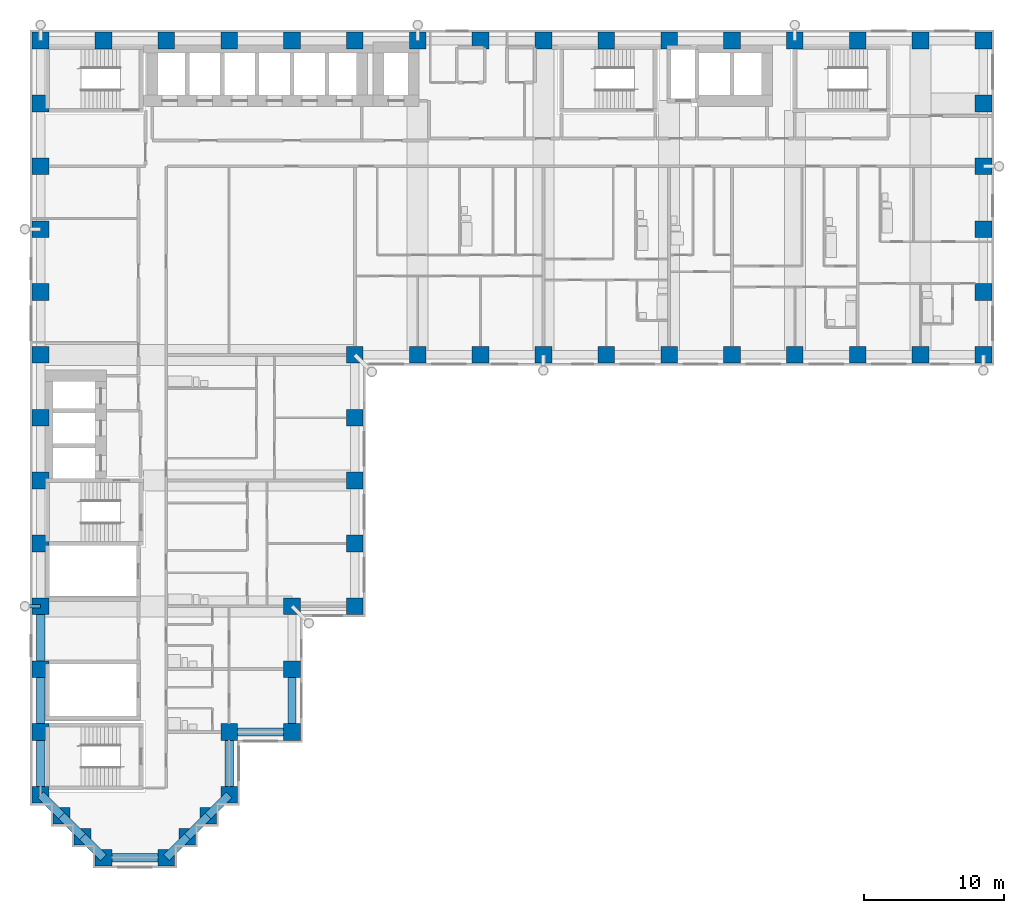
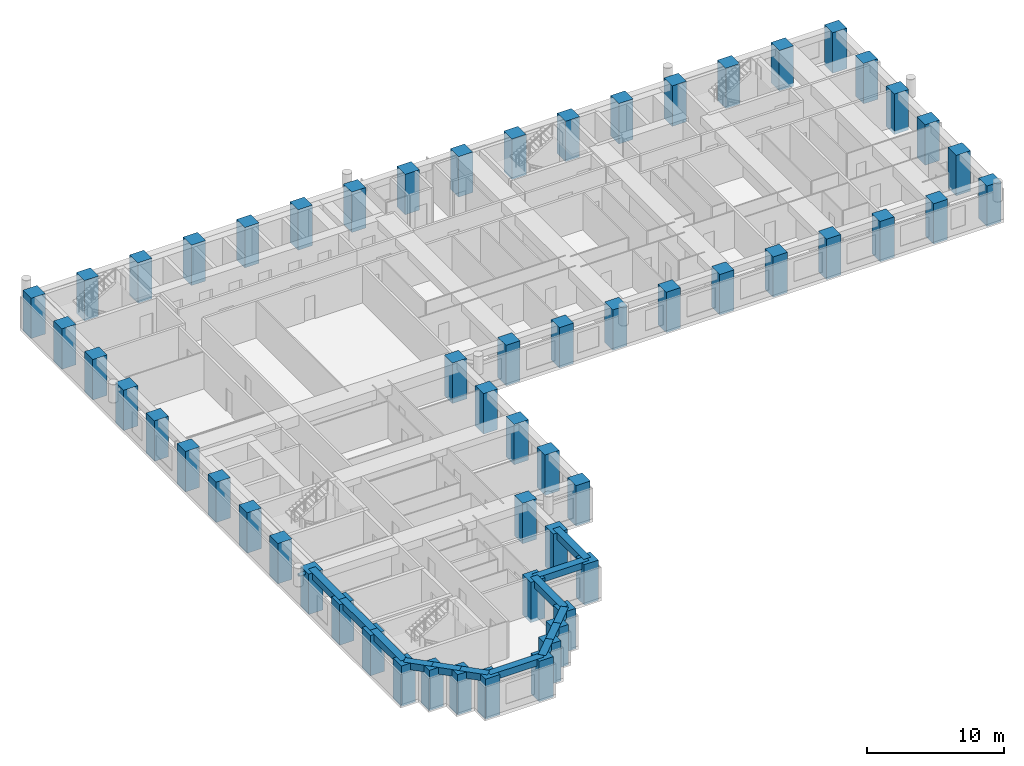
# One storey, part 1 of 14: 58 columns, 13 beams, 1 member.
"""IFC4 building model written with IfcOpenShell, lengths in metres."""

from ifc_helpers import new_model, si_unit, direction, frame, origin, origin_2d, place, context, subcontext, project, spatial, rectangle, hollow_circle, extrude, material, material_profile, profile_set, type_object, element, save


model = new_model("IFC4")

# Units and contexts
model_context = context("Model", 3, precision=1e-05, world=origin(), true_north=direction((0.0, 1.0)))
body_context = subcontext(model_context, "Body", "Model", "MODEL_VIEW")
ifc_project = project(units=[si_unit("LENGTHUNIT", "METRE"), si_unit("AREAUNIT", "SQUARE_METRE"), si_unit("VOLUMEUNIT", "CUBIC_METRE"), si_unit("PLANEANGLEUNIT", "RADIAN"), si_unit("MASSUNIT", "GRAM", prefix="KILO")], contexts=[model_context])

# Site, building, storey
site_placement = place(None, origin())
site = spatial("IfcSite", under=ifc_project, at=site_placement, CompositionType="ELEMENT")
building_placement = place(site_placement, origin())
building = spatial("IfcBuilding", under=site, at=building_placement, Name="Firuza Court", CompositionType="ELEMENT")
storey_placement = place(building_placement, frame((0.0, 0.0, 68.60009765625)))
storey = spatial("IfcBuildingStorey", under=building, at=storey_placement, Name="L16", CompositionType="ELEMENT", Elevation=68.60009765625)

# Columns
ifc_material_1 = material(Name="Concrete C70/85", Category="concrete")
ifc_material_profile_1 = material_profile(ifc_material_1, rectangle(XDim=1.199951171875, YDim=1.199951171875, at=origin_2d()), Name="RC 1200x1200")
ifc_profile_set_1 = profile_set([ifc_material_profile_1], Name="Concrete C70/85")
column_type = type_object("IfcColumnType", Name="Tube column RC 1200x1200 C70/85", PredefinedType="COLUMN", material=ifc_profile_set_1)
for number, where, z_axis, x_axis, name in (
    (1, (4.5, 0.0, -0.300048828125), (0.0, 0.0, 1.0), (1.0, 0.0, 0.0), "Column C-2D L16"),
    (2, (9.0, 0.0, -0.300048828125), (0.0, 0.0, 1.0), (1.0, 0.0, 0.0), "Column C-3D L16"),
    (3, (3.0, 1.5, -0.300048828125), (0.0, 0.0, 1.0), (1.0, 0.0, 0.0), "Column C-SA1 L16"),
    (4, (10.5, 1.5, -0.300048828125), (0.0, 0.0, 1.0), (1.0, 0.0, 0.0), "Column C-SA2 L16"),
    (5, (1.5, 3.0, -0.300048828125), (0.0, 0.0, 1.0), (1.0, 0.0, 0.0), "Column C-SA3 L16"),
    (6, (12.0, 3.0, -0.300048828125), (0.0, 0.0, 1.0), (1.0, 0.0, 0.0), "Column C-SA4 L16"),
    (7, (0.0, 4.5, -0.300048828125), (0.0, 0.0, 1.0), (1.0, 0.0, 0.0), "Column C-1E L16"),
    (8, (13.5, 4.5, -0.300048828125), (0.0, 0.0, 1.0), (1.0, 0.0, 0.0), "Column C-4E L16"),
    (9, (0.0, 9.0, -0.300048828125), (0.0, 0.0, 1.0), (1.0, 0.0, 0.0), "Column C-1F L16"),
    (10, (13.5, 9.0, -0.300048828125), (0.0, 0.0, 1.0), (1.0, 0.0, 0.0), "Column C-4F L16"),
    (11, (18.0, 9.0, -0.300048828125), (0.0, 0.0, 1.0), (1.0, 0.0, 0.0), "Column C-5F L16"),
    (12, (0.0, 13.5, -0.300048828125), (0.0, 0.0, 1.0), (1.0, 0.0, 0.0), "Column C-1G L16"),
    (13, (18.0, 13.5, -0.300048828125), (0.0, 0.0, 1.0), (1.0, 0.0, 0.0), "Column C-5G L16"),
    (14, (0.0, 18.0, -0.300048828125), (0.0, 0.0, 1.0), (1.0, 0.0, 0.0), "Column C-1H L16"),
    (15, (18.0, 18.0, -0.300048828125), (0.0, 0.0, 1.0), (1.0, 0.0, 0.0), "Column C-5H L16"),
    (16, (22.5, 18.0, -0.300048828125), (0.0, 0.0, 1.0), (1.0, 0.0, 0.0), "Column C-6H L16"),
    (17, (0.0, 22.5, -0.300048828125), (0.0, 0.0, 1.0), (1.0, 0.0, 0.0), "Column C-1J L16"),
    (18, (22.5, 22.5, -0.300048828125), (0.0, 0.0, 1.0), (1.0, 0.0, 0.0), "Column C-6J L16"),
    (19, (0.0, 27.0, -0.300048828125), (0.0, 0.0, 1.0), (1.0, 0.0, 0.0), "Column C-1K L16"),
    (20, (22.5, 27.0, -0.300048828125), (0.0, 0.0, 1.0), (1.0, 0.0, 0.0), "Column C-6K L16"),
    (21, (0.0, 31.5, -0.300048828125), (0.0, 0.0, 1.0), (1.0, 0.0, 0.0), "Column C-1L L16"),
    (22, (22.5, 31.5, -0.300048828125), (0.0, 0.0, 1.0), (1.0, 0.0, 0.0), "Column C-6L L16"),
    (23, (0.0, 36.0, -0.300048828125), (0.0, 0.0, 1.0), (1.0, 0.0, 0.0), "Column C-1M L16"),
    (24, (22.5, 36.0, -0.300048828125), (0.0, 0.0, 1.0), (1.0, 0.0, 0.0), "Column C-6M L16"),
    (25, (27.0, 36.0, -0.300048828125), (0.0, 0.0, 1.0), (1.0, 0.0, 0.0), "Column C-7M L16"),
    (26, (31.5, 36.0, -0.300048828125), (0.0, 0.0, 1.0), (1.0, 0.0, 0.0), "Column C-8M L16"),
    (27, (36.0, 36.0, -0.300048828125), (0.0, 0.0, 1.0), (1.0, 0.0, 0.0), "Column C-9M L16"),
    (28, (40.5, 36.0, -0.300048828125), (0.0, 0.0, 1.0), (1.0, 0.0, 0.0), "Column C-10M L16"),
    (29, (45.0, 36.0, -0.300048828125), (0.0, 0.0, 1.0), (1.0, 0.0, 0.0), "Column C-11M L16"),
    (30, (49.5, 36.0, -0.300048828125), (0.0, 0.0, 1.0), (1.0, 0.0, 0.0), "Column C-12M L16"),
    (31, (54.0, 36.0, -0.300048828125), (0.0, 0.0, 1.0), (1.0, 0.0, 0.0), "Column C-13M L16"),
    (32, (58.5, 36.0, -0.300048828125), (0.0, 0.0, 1.0), (1.0, 0.0, 0.0), "Column C-14M L16"),
    (33, (63.0, 36.0, -0.300048828125), (0.0, 0.0, 1.0), (1.0, 0.0, 0.0), "Column C-15M L16"),
    (34, (67.5, 36.0, -0.300048828125), (0.0, 0.0, 1.0), (1.0, 0.0, 0.0), "Column C-16M L16"),
    (35, (0.0, 40.5, -0.300048828125), (0.0, 0.0, 1.0), (1.0, 0.0, 0.0), "Column C-1N L16"),
    (36, (67.5, 40.5, -0.300048828125), (0.0, 0.0, 1.0), (1.0, 0.0, 0.0), "Column C-16N L16"),
    (37, (0.0, 45.0, -0.300048828125), (0.0, 0.0, 1.0), (1.0, 0.0, 0.0), "Column C-1P L16"),
    (38, (67.5, 45.0, -0.300048828125), (0.0, 0.0, 1.0), (1.0, 0.0, 0.0), "Column C-16P L16"),
    (39, (0.0, 49.5, -0.300048828125), (0.0, 0.0, 1.0), (1.0, 0.0, 0.0), "Column C-1Q L16"),
    (40, (67.5, 49.5, -0.300048828125), (0.0, 0.0, 1.0), (1.0, 0.0, 0.0), "Column C-16Q L16"),
    (41, (0.0, 54.0, -0.300048828125), (0.0, 0.0, 1.0), (1.0, 0.0, 0.0), "Column C-1R L16"),
    (42, (67.5, 54.0, -0.300048828125), (0.0, 0.0, 1.0), (1.0, 0.0, 0.0), "Column C-16R L16"),
    (43, (0.0, 58.5, -0.300048828125), (0.0, 0.0, 1.0), (1.0, 0.0, 0.0), "Column C-1S L16"),
    (44, (4.5, 58.5, -0.300048828125), (0.0, 0.0, 1.0), (1.0, 0.0, 0.0), "Column C-2S L16"),
    (45, (9.0, 58.5, -0.300048828125), (0.0, 0.0, 1.0), (1.0, 0.0, 0.0), "Column C-3S L16"),
    (46, (13.5, 58.5, -0.300048828125), (0.0, 0.0, 1.0), (1.0, 0.0, 0.0), "Column C-4S L16"),
    (47, (18.0, 58.5, -0.300048828125), (0.0, 0.0, 1.0), (1.0, 0.0, 0.0), "Column C-5S L16"),
    (48, (22.5, 58.5, -0.300048828125), (0.0, 0.0, 1.0), (1.0, 0.0, 0.0), "Column C-6S L16"),
    (49, (27.0, 58.5, -0.300048828125), (0.0, 0.0, 1.0), (1.0, 0.0, 0.0), "Column C-7S L16"),
    (50, (31.5, 58.5, -0.300048828125), (0.0, 0.0, 1.0), (1.0, 0.0, 0.0), "Column C-8S L16"),
    (51, (36.0, 58.5, -0.300048828125), (0.0, 0.0, 1.0), (1.0, 0.0, 0.0), "Column C-9S L16"),
    (52, (40.5, 58.5, -0.300048828125), (0.0, 0.0, 1.0), (1.0, 0.0, 0.0), "Column C-10S L16"),
    (53, (45.0, 58.5, -0.300048828125), (0.0, 0.0, 1.0), (1.0, 0.0, 0.0), "Column C-11S L16"),
    (54, (49.5, 58.5, -0.300048828125), (0.0, 0.0, 1.0), (1.0, 0.0, 0.0), "Column C-12S L16"),
    (55, (54.0, 58.5, -0.300048828125), (0.0, 0.0, 1.0), (1.0, 0.0, 0.0), "Column C-13S L16"),
    (56, (58.5, 58.5, -0.300048828125), (0.0, 0.0, 1.0), (1.0, 0.0, 0.0), "Column C-14S L16"),
    (57, (63.0, 58.5, -0.300048828125), (0.0, 0.0, 1.0), (1.0, 0.0, 0.0), "Column C-15S L16"),
    (58, (67.5, 58.5, -0.300048828125), (0.0, 0.0, 1.0), (1.0, 0.0, 0.0), "Column C-16S L16"),
):
    element("IfcColumn", number, at=place(storey_placement, frame(where, z_axis=z_axis, x_axis=x_axis)), inside=storey, type_object=column_type, Name=name, PredefinedType="COLUMN", context=body_context, shape_type="SweptSolid", body=[
        extrude(rectangle(XDim=1.199951171875, YDim=1.199951171875, at=origin_2d()), origin(), (0.0, 0.0, 1.0), 3.599853515625),
    ])

# Member
ifc_material_2 = material(Name="Steel S355", Category="steel")
ifc_material_profile_2 = material_profile(ifc_material_2, hollow_circle(Radius=0.136474609375, WallThickness=0.012451171875, at=origin_2d()), Name="CHS 273x12.5")
ifc_profile_set_2 = profile_set([ifc_material_profile_2], Name="Steel S355")
member_type = type_object("IfcMemberType", Name="Diagrid tie CHS 273x12.5 S355", PredefinedType="STRUT", material=ifc_profile_set_2)
member_placement = place(storey_placement, frame((0.0, 18.0, 3.0498046875), z_axis=(-1.0, 0.0, 0.0), x_axis=(0.0, -1.0, 0.0)))
element("IfcMember", 59, at=member_placement, inside=storey, type_object=member_type, Name="Diagrid tie level L17", PredefinedType="STRUT", context=body_context, shape_type="SweptSolid", body=[
    extrude(hollow_circle(Radius=0.136474609375, WallThickness=0.012451171875, at=origin_2d()), origin(), (0.0, 0.0, 1.0), 1.1201171875),
])

# Beams
ifc_material_3 = material(Name="Concrete C40/50", Category="concrete")
ifc_material_profile_3 = material_profile(ifc_material_3, rectangle(XDim=0.60009765625, YDim=0.60009765625, at=origin_2d()), Name="RC 600x600")
ifc_profile_set_3 = profile_set([ifc_material_profile_3], Name="Concrete C40/50")
beam_type = type_object("IfcBeamType", Name="Spandrel beam RC 600x600 C40/50", PredefinedType="BEAM", material=ifc_profile_set_3)
beam_1_placement = place(storey_placement, frame((0.0, 4.5, 3.0), z_axis=(0.707106781187, -0.707106781187, 0.0), x_axis=(0.707106781187, 0.707106781187, 0.0)))
element("IfcBeam", 60, at=beam_1_placement, inside=storey, type_object=beam_type, Name="Spandrel beam SP11 level L17", PredefinedType="BEAM", context=body_context, shape_type="SweptSolid", body=[
    extrude(rectangle(XDim=0.60009765625, YDim=0.60009765625, at=origin_2d()), origin(), (0.0, 0.0, 1.0), 2.121337890625),
])
for number, where, z_axis, x_axis, name in (
    (61, (0.0, 9.0, 3.0), (0.0, -1.0, 0.0), (1.0, 0.0, 0.0), "Spandrel beam SP11 level L17"),
    (62, (0.0, 13.5, 3.0), (0.0, -1.0, 0.0), (1.0, 0.0, 0.0), "Spandrel beam SP11 level L17"),
    (63, (0.0, 18.0, 3.0), (0.0, -1.0, 0.0), (1.0, 0.0, 0.0), "Spandrel beam SP11 level L17"),
):
    element("IfcBeam", number, at=place(storey_placement, frame(where, z_axis=z_axis, x_axis=x_axis)), inside=storey, type_object=beam_type, Name=name, PredefinedType="BEAM", context=body_context, shape_type="SweptSolid", body=[
        extrude(rectangle(XDim=0.60009765625, YDim=0.60009765625, at=origin_2d()), origin(), (0.0, 0.0, 1.0), 4.5),
    ])
for number, where, z_axis, x_axis, name in (
    (64, (1.5, 3.0, 3.0), (0.707106781187, -0.707106781187, 0.0), (0.707106781187, 0.707106781187, 0.0), "Spandrel beam SP11 level L17"),
    (65, (3.0, 1.5, 3.0), (0.707106781187, -0.707106781187, 0.0), (0.707106781187, 0.707106781187, 0.0), "Spandrel beam SP11 level L17"),
):
    element("IfcBeam", number, at=place(storey_placement, frame(where, z_axis=z_axis, x_axis=x_axis)), inside=storey, type_object=beam_type, Name=name, PredefinedType="BEAM", context=body_context, shape_type="SweptSolid", body=[
        extrude(rectangle(XDim=0.60009765625, YDim=0.60009765625, at=origin_2d()), origin(), (0.0, 0.0, 1.0), 2.121337890625),
    ])
beam_2_placement = place(storey_placement, frame((4.5, 0.0, 3.0), z_axis=(1.0, 0.0, 0.0), x_axis=(0.0, 1.0, 0.0)))
element("IfcBeam", 66, at=beam_2_placement, inside=storey, type_object=beam_type, Name="Spandrel beam SP11 level L17", PredefinedType="BEAM", context=body_context, shape_type="SweptSolid", body=[
    extrude(rectangle(XDim=0.60009765625, YDim=0.60009765625, at=origin_2d()), origin(), (0.0, 0.0, 1.0), 4.5),
])
for number, where, z_axis, x_axis, name in (
    (67, (9.0, 0.0, 3.0), (0.707106781187, 0.707106781187, 0.0), (-0.707106781187, 0.707106781187, 0.0), "Spandrel beam SP11 level L17"),
    (68, (10.5, 1.5, 3.0), (0.707106781187, 0.707106781187, 0.0), (-0.707106781187, 0.707106781187, 0.0), "Spandrel beam SP11 level L17"),
    (69, (12.0, 3.0, 3.0), (0.707106781187, 0.707106781187, 0.0), (-0.707106781187, 0.707106781187, 0.0), "Spandrel beam SP11 level L17"),
):
    element("IfcBeam", number, at=place(storey_placement, frame(where, z_axis=z_axis, x_axis=x_axis)), inside=storey, type_object=beam_type, Name=name, PredefinedType="BEAM", context=body_context, shape_type="SweptSolid", body=[
        extrude(rectangle(XDim=0.60009765625, YDim=0.60009765625, at=origin_2d()), origin(), (0.0, 0.0, 1.0), 2.121337890625),
    ])
for number, where, z_axis, x_axis, name in (
    (70, (13.5, 4.5, 3.0), (0.0, 1.0, 0.0), (-1.0, 0.0, 0.0), "Spandrel beam SP11 level L17"),
    (71, (13.5, 9.0, 3.0), (1.0, 0.0, 0.0), (0.0, 1.0, 0.0), "Spandrel beam SP11 level L17"),
    (72, (18.0, 9.0, 3.0), (0.0, 1.0, 0.0), (-1.0, 0.0, 0.0), "Spandrel beam SP11 level L17"),
):
    element("IfcBeam", number, at=place(storey_placement, frame(where, z_axis=z_axis, x_axis=x_axis)), inside=storey, type_object=beam_type, Name=name, PredefinedType="BEAM", context=body_context, shape_type="SweptSolid", body=[
        extrude(rectangle(XDim=0.60009765625, YDim=0.60009765625, at=origin_2d()), origin(), (0.0, 0.0, 1.0), 4.5),
    ])

save(model, "model.ifc")
